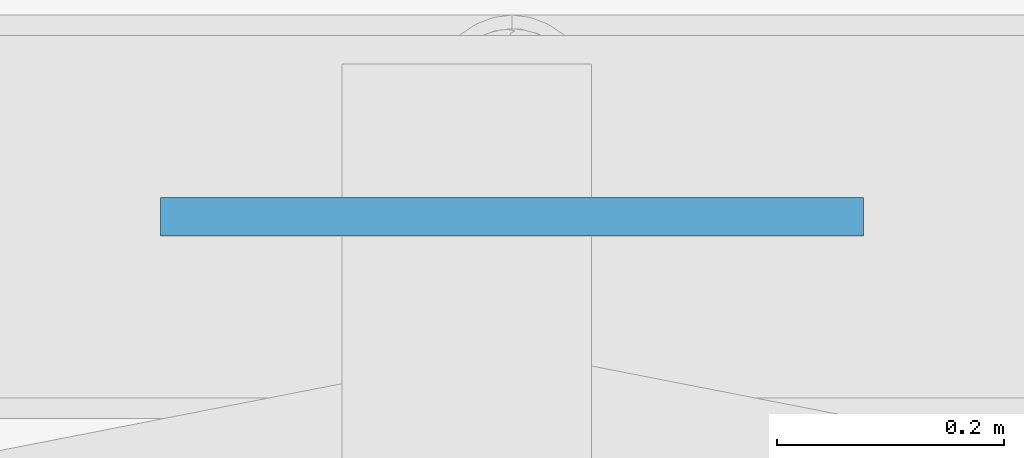
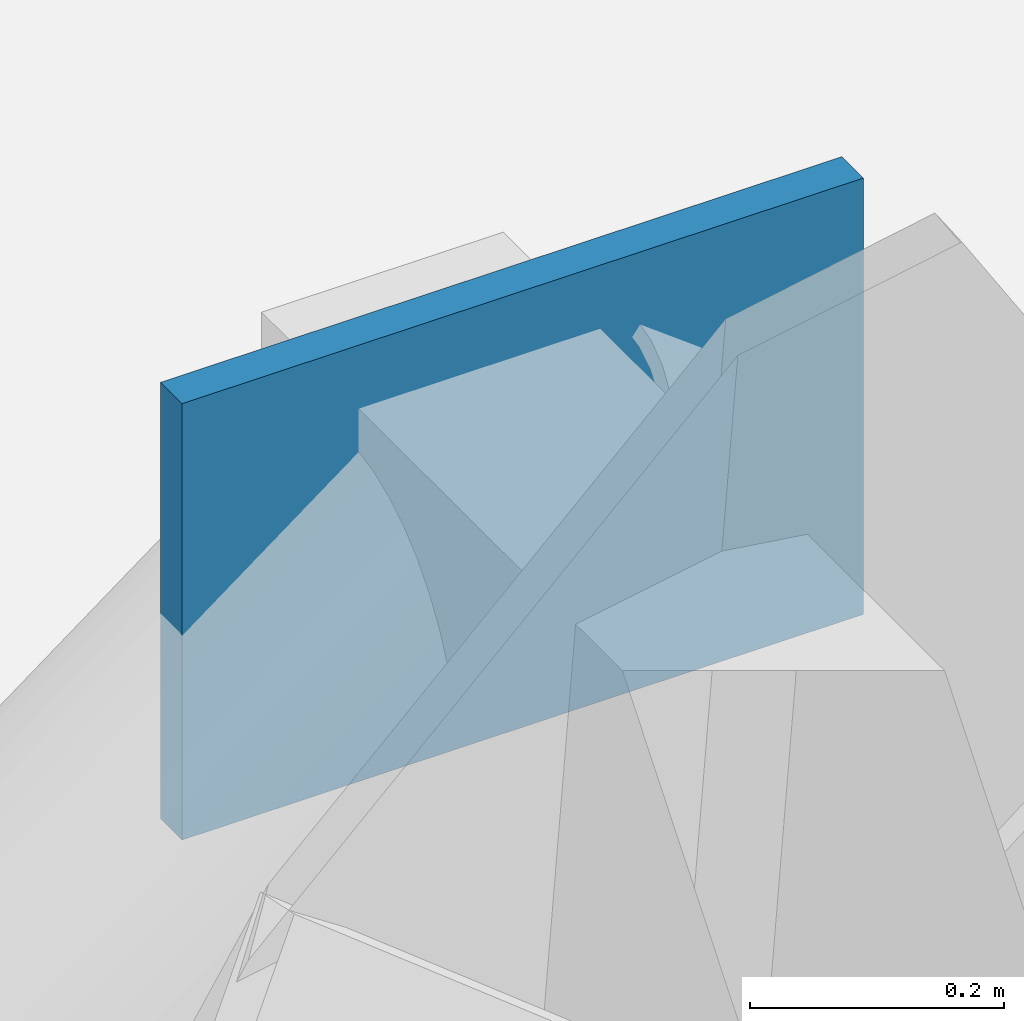
# One storey, part 34 of 76: 1 plate.
"""IFC4 building model written with IfcOpenShell, lengths in metres."""

from ifc_helpers import new_model, si_unit, derived_unit, direction, frame, origin, origin_2d, place, context, subcontext, project, spatial, rectangle, extrude, material, layer, layer_set, type_object, element, save


model = new_model("IFC4")

# Units and contexts
model_context = context("Model", 3, precision=1e-05, world=origin(), true_north=direction((0.0, 1.0)))
body_context = subcontext(model_context, "Body", "Model", "MODEL_VIEW")
ifc_project = project(units=[si_unit("LENGTHUNIT", "METRE"), si_unit("AREAUNIT", "SQUARE_METRE"), si_unit("VOLUMEUNIT", "CUBIC_METRE"), si_unit("PLANEANGLEUNIT", "RADIAN"), si_unit("MASSUNIT", "GRAM", prefix="KILO"), si_unit("THERMODYNAMICTEMPERATUREUNIT", "KELVIN"), derived_unit("THERMALTRANSMITTANCEUNIT", [(si_unit("POWERUNIT", "WATT"), 1), (si_unit("AREAUNIT", "SQUARE_METRE"), -1), (si_unit("THERMODYNAMICTEMPERATUREUNIT", "KELVIN"), -1)])], contexts=[model_context])

# Site, building, storey
site_placement = place(None, origin())
site = spatial("IfcSite", under=ifc_project, at=site_placement, CompositionType="ELEMENT")
building_placement = place(site_placement, origin())
building = spatial("IfcBuilding", under=site, at=building_placement, Name="Haiyu Intermodal Mobility Hub", CompositionType="ELEMENT")
storey_placement = place(building_placement, frame((0.0, 0.0, 17.300048828125)))
storey = spatial("IfcBuildingStorey", under=building, at=storey_placement, Name="L04", CompositionType="ELEMENT", Elevation=17.300048828125)

# Plate
ifc_material = material(Name="Steel Q355C", Category="steel")
ifc_layer = layer(ifc_material, 0.033935546875)
ifc_layer_set = layer_set([ifc_layer], Name="Steel Q355C")
plate_type = type_object("IfcPlateType", Name="PLT-GP04", PredefinedType="USERDEFINED", material=ifc_layer_set)
plate_placement = place(storey_placement, frame((42.0, 104.0, 2.7900390625), z_axis=(0.0, 0.0, 1.0), x_axis=(1.0, 0.0, 0.0)))
element("IfcPlate", 1, at=plate_placement, inside=storey, type_object=plate_type, Name="Chevron Brace Apex Gusset GP-B099", ObjectType="GUSSET PLATE", PredefinedType="USERDEFINED", context=body_context, shape_type="SweptSolid", body=[
    extrude(rectangle(XDim=0.6201171875, YDim=0.033935546875, at=origin_2d()), origin(), (0.0, 0.0, 1.0), 0.419921875),
])

save(model, "model.ifc")
